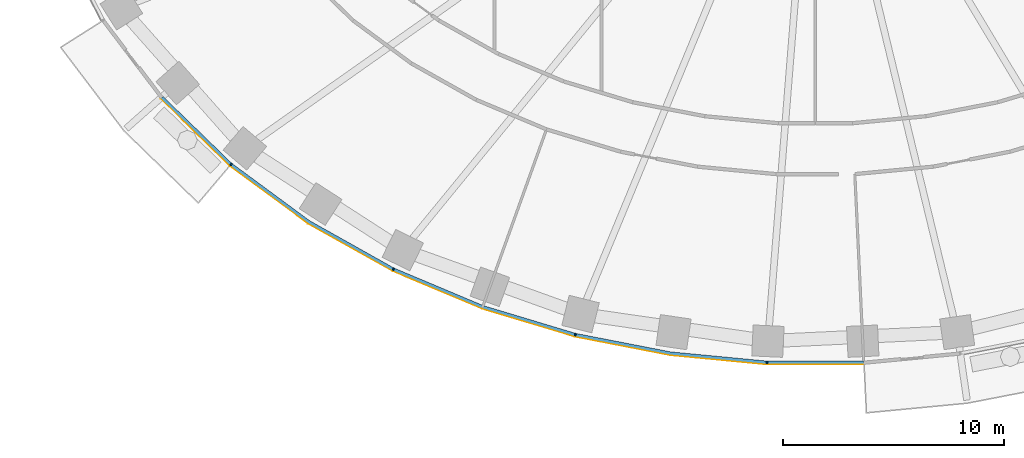
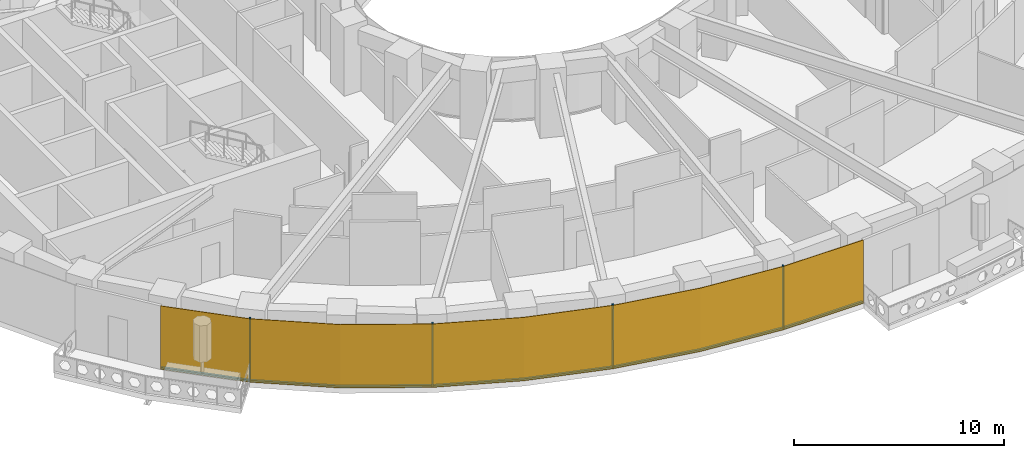
# One storey, part 8 of 16: 9 members, 1 curtain wall.
"""IFC4 building model written with IfcOpenShell, lengths in metres."""

from ifc_helpers import new_model, si_unit, direction, frame, origin, origin_2d, place, context, subcontext, project, spatial, polyline, rectangle, outline, extrude, material, layer, layer_set, material_profile, profile_set, type_object, element, aggregate, save


model = new_model("IFC4")

# Units and contexts
model_context = context("Model", 3, precision=1e-05, world=origin(), true_north=direction((0.0, 1.0)))
body_context = subcontext(model_context, "Body", "Model", "MODEL_VIEW")
ifc_project = project(units=[si_unit("LENGTHUNIT", "METRE"), si_unit("AREAUNIT", "SQUARE_METRE"), si_unit("VOLUMEUNIT", "CUBIC_METRE"), si_unit("PLANEANGLEUNIT", "RADIAN"), si_unit("MASSUNIT", "GRAM", prefix="KILO")], contexts=[model_context])

# Member
ifc_material_1 = material(Name="Aluminium 6063-T6 black anodised", Category="aluminium")
ifc_material_profile = material_profile(ifc_material_1, rectangle(XDim=0.1201171875, YDim=0.06005859375, at=origin_2d()), Name="120x60")
ifc_profile_set = profile_set([ifc_material_profile], Name="Aluminium 6063-T6 black anodised")
member_type_1 = type_object("IfcMemberType", Name="ENV-MULLION-A-120", PredefinedType="MULLION", material=ifc_profile_set)
site_placement = place(None, origin())
building_placement = place(site_placement, origin())
storey_placement = place(building_placement, frame((0.0, 0.0, 78.5)))
member_1_placement = place(storey_placement, frame((-26.403564453125, -18.9130859375, 0.0), z_axis=(0.0, 0.0, 1.0), x_axis=(0.646451313783, 0.762955240435, 0.0)))
member_1 = element("IfcMember", 1, at=member_1_placement, type_object=member_type_1, Name="Mullion A radial 29", PredefinedType="MULLION", context=body_context, shape_type="SweptSolid", body=[
    extrude(rectangle(XDim=0.1201171875, YDim=0.06005859375, at=origin_2d()), origin(), (0.0, 0.0, 1.0), 3.699951171875),
])

member_2_placement = place(storey_placement, frame((-19.06787109375, -23.6474609375, 0.0), z_axis=(0.0, 0.0, 1.0), x_axis=(0.439237769837, 0.898370848563, 0.0)))
member_2 = element("IfcMember", 2, at=member_2_placement, type_object=member_type_1, Name="Mullion A radial 31", PredefinedType="MULLION", context=body_context, shape_type="SweptSolid", body=[
    extrude(rectangle(XDim=0.1201171875, YDim=0.06005859375, at=origin_2d()), origin(), (0.0, 0.0, 1.0), 3.699951171875),
])

member_3_placement = place(storey_placement, frame((-10.84326171875, -26.60498046875, 0.0), z_axis=(0.0, 0.0, 1.0), x_axis=(0.239799081534, 0.970822538106, 0.0)))
member_3 = element("IfcMember", 3, at=member_3_placement, type_object=member_type_1, Name="Mullion A radial 33", PredefinedType="MULLION", context=body_context, shape_type="SweptSolid", body=[
    extrude(rectangle(XDim=0.1201171875, YDim=0.06005859375, at=origin_2d()), origin(), (0.0, 0.0, 1.0), 3.699951171875),
])

member_4_placement = place(storey_placement, frame((-2.188720703125, -27.856201171875, 0.0), z_axis=(0.0, 0.0, 1.0), x_axis=(0.047557873581, 0.998868484166, 0.0)))
member_4 = element("IfcMember", 4, at=member_4_placement, type_object=member_type_1, Name="Mullion A radial 35", PredefinedType="MULLION", context=body_context, shape_type="SweptSolid", body=[
    extrude(rectangle(XDim=0.1201171875, YDim=0.06005859375, at=origin_2d()), origin(), (0.0, 0.0, 1.0), 3.699951171875),
])

ifc_material_2 = material(Name="Aluminium 6063-T6 black anodised", Category="aluminium")
member_type_2 = type_object("IfcMemberType", Name="ENV-TRANSOM-A", PredefinedType="USERDEFINED", material=ifc_material_2)
member_5_placement = place(storey_placement, origin())
member_5 = element("IfcMember", 5, at=member_5_placement, type_object=member_type_2, Name="Transom A radial 28-29", ObjectType="TRANSOM", PredefinedType="USERDEFINED", context=body_context, shape_type="SweptSolid", body=[
    extrude(outline(polyline([(-29.569091796875, -15.9208984375), (-26.46240234375, -18.939208984375), (-26.384765625, -18.847412109375), (-29.47900390625, -15.841064453125), (-29.569091796875, -15.9208984375)])), origin(), (0.0, 0.0, 1.0), 0.10009765625),
])

member_6_placement = place(storey_placement, origin())
member_6 = element("IfcMember", 6, at=member_6_placement, type_object=member_type_2, Name="Transom A radial 29-31", ObjectType="TRANSOM", PredefinedType="USERDEFINED", context=body_context, shape_type="SweptSolid", body=[
    extrude(outline(polyline([(-26.419921875, -18.975341796875), (-22.9150390625, -21.556884765625), (-19.11865234375, -23.687744140625), (-19.06591796875, -23.57958984375), (-22.85009765625, -21.455810546875), (-26.342041015625, -18.883544921875), (-26.419921875, -18.975341796875)])), origin(), (0.0, 0.0, 1.0), 0.10009765625),
])

member_7_placement = place(storey_placement, origin())
member_7 = element("IfcMember", 7, at=member_7_placement, type_object=member_type_2, Name="Transom A radial 31-33", ObjectType="TRANSOM", PredefinedType="USERDEFINED", context=body_context, shape_type="SweptSolid", body=[
    extrude(outline(polyline([(-19.068359375, -23.71240234375), (-15.054443359375, -25.400146484375), (-10.884521484375, -26.655029296875), (-10.855712890625, -26.53857421875), (-15.013916015625, -25.287109375), (-19.015380859375, -23.604248046875), (-19.068359375, -23.71240234375)])), origin(), (0.0, 0.0, 1.0), 0.10009765625),
])

member_8_placement = place(storey_placement, origin())
member_8 = element("IfcMember", 8, at=member_8_placement, type_object=member_type_2, Name="Transom A radial 33-35", ObjectType="TRANSOM", PredefinedType="USERDEFINED", context=body_context, shape_type="SweptSolid", body=[
    extrude(outline(polyline([(-10.830078125, -26.66845703125), (-6.55517578125, -27.49951171875), (-2.219482421875, -27.913330078125), (-2.2138671875, -27.793212890625), (-6.537841796875, -27.380615234375), (-10.80126953125, -26.552001953125), (-10.830078125, -26.66845703125)])), origin(), (0.0, 0.0, 1.0), 0.10009765625),
])

member_9_placement = place(storey_placement, origin())
member_9 = element("IfcMember", 9, at=member_9_placement, type_object=member_type_2, Name="Transom A radial 35-36", ObjectType="TRANSOM", PredefinedType="USERDEFINED", context=body_context, shape_type="SweptSolid", body=[
    extrude(outline(polyline([(-2.163818359375, -27.916015625), (2.171630859375, -27.916015625), (2.166015625, -27.7958984375), (-2.157958984375, -27.7958984375), (-2.163818359375, -27.916015625)])), origin(), (0.0, 0.0, 1.0), 0.10009765625),
])

# Site, building, storey
site = spatial("IfcSite", under=ifc_project, at=site_placement, CompositionType="ELEMENT")
building = spatial("IfcBuilding", under=site, at=building_placement, Name="Noorbagh Ring Tower", CompositionType="ELEMENT")
storey = spatial("IfcBuildingStorey", under=building, at=storey_placement, Name="L17", CompositionType="ELEMENT", Elevation=78.5)

# Curtain wall
ifc_material_3 = material(Name="Glass dark tinted laminated", Category="glass")
ifc_layer = layer(ifc_material_3, 0.031982421875)
ifc_layer_set = layer_set([ifc_layer], Name="Glass dark tinted laminated")
curtain_wall_type = type_object("IfcCurtainWallType", Name="ENV-CW-A", PredefinedType="NOTDEFINED", material=ifc_layer_set)
curtain_wall_placement = place(storey_placement, origin())
curtain_wall = element("IfcCurtainWall", 10, at=curtain_wall_placement, inside=storey, type_object=curtain_wall_type, Name="Curtain wall A R28", PredefinedType="NOTDEFINED", context=body_context, shape_type="SweptSolid", body=[
    extrude(outline(polyline([(-29.59326171875, -15.942138671875), (-26.463134765625, -18.9833984375), (-22.9326171875, -21.583740234375), (-19.108154296875, -23.730224609375), (-15.065185546875, -25.430419921875), (-10.865234375, -26.6943359375), (-6.559814453125, -27.53125), (-2.193115234375, -27.947998046875), (2.173095703125, -27.947998046875), (2.171630859375, -27.916015625), (-2.191650390625, -27.916015625), (-6.55517578125, -27.49951171875), (-10.857666015625, -26.6630859375), (-15.054443359375, -25.400146484375), (-19.093994140625, -23.701416015625), (-22.9150390625, -21.556884765625), (-26.4423828125, -18.958740234375), (-29.569091796875, -15.9208984375), (-29.59326171875, -15.942138671875)])), origin(), (0.0, 0.0, 1.0), 3.699951171875),
])

aggregate(curtain_wall, [member_1, member_2, member_3, member_4, member_5, member_6, member_7, member_8, member_9])

save(model, "model.ifc")
